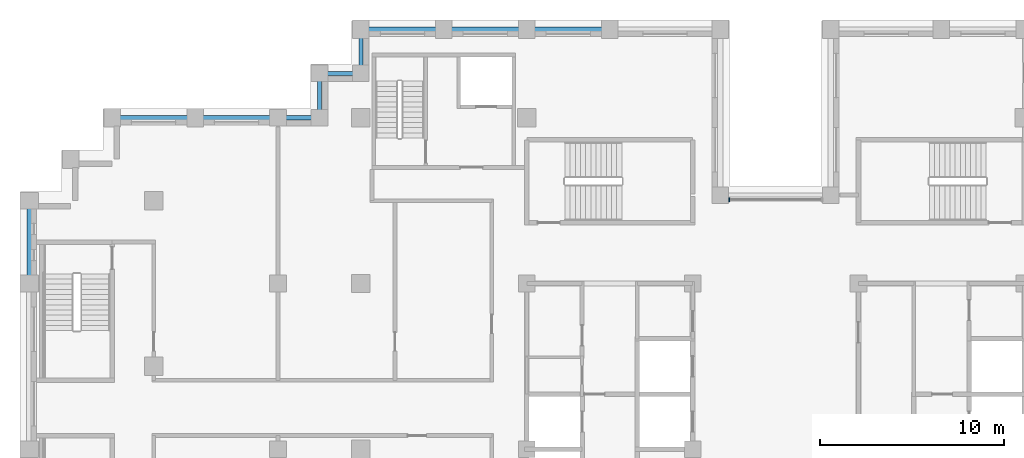
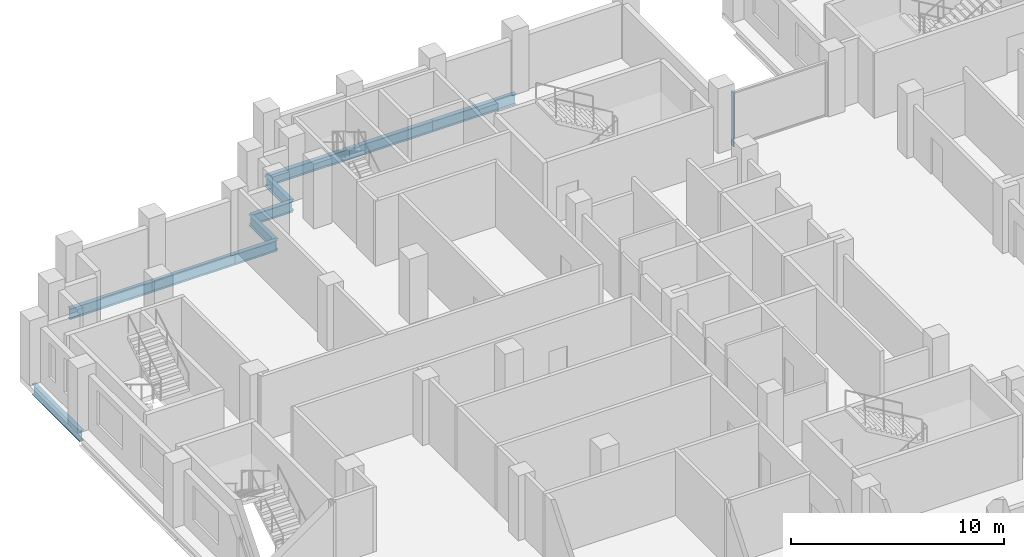
# One storey, part 3 of 15: 10 beams, 1 member, 1 element without a shape of its own.
"""IFC4 building model written with IfcOpenShell, lengths in metres."""

import ifcopenshell
import ifcopenshell.guid

model = None  # the IFC model being written
_history = None  # IfcOwnerHistory: only IFC2X3 demands one
_inside = {}  # id of a spatial element -> (the spatial element, [elements in it])
_under = {}  # id of a project, library or spatial element -> (it, [spatial elements below it])
_declared = {}  # id of a project -> (the project, [libraries it declares])
_typed = {}  # id of a type object -> (the type object, [elements of that type])
_made_of = {}  # id of a material, layer set ... -> (it, [elements and type objects made of it])


def new_model(schema):
    """Start an empty IFC model of exactly this schema.

    Asked for "IFC4X3", IfcOpenShell would pick the latest addendum, in which some entities
    have other attributes; the version numbers below select the first issue.
    IFC2X3 requires an IfcOwnerHistory on every rooted entity: one is made here for all.
    """
    global model, _history
    if schema == "IFC4X3":
        model = ifcopenshell.file(schema_version=(4, 3, 0, 0))
    else:
        model = ifcopenshell.file(schema=schema)
    _inside.clear()
    _under.clear()
    _declared.clear()
    _typed.clear()
    _made_of.clear()
    _history = None
    if model.schema == "IFC2X3":
        org = make("IfcOrganization", Name="unknown")
        user = make(
            "IfcPersonAndOrganization",
            ThePerson=make("IfcPerson", FamilyName="unknown"),
            TheOrganization=org,
        )
        app = make(
            "IfcApplication",
            ApplicationDeveloper=org,
            Version="unknown",
            ApplicationFullName="unknown",
            ApplicationIdentifier="unknown",
        )
        _history = make(
            "IfcOwnerHistory",
            OwningUser=user,
            OwningApplication=app,
            ChangeAction="ADDED",
            CreationDate=0,
        )
    return model


def make(cls, **values):
    """One entity of the class cls with the attributes given. An attribute that is None is left unset."""
    return model.create_entity(
        cls, **{name: value for name, value in values.items() if value is not None}
    )


def rooted(cls, **values):
    """An entity with a GlobalId (a new one), such as an element, a storey or a relation."""
    return make(cls, GlobalId=ifcopenshell.guid.new(), OwnerHistory=_history, **values)


def si_unit(unit_type, name, prefix=None):
    """IfcSIUnit, for example si_unit("LENGTHUNIT", "METRE", prefix="MILLI")."""
    return make("IfcSIUnit", UnitType=unit_type, Prefix=prefix, Name=name)


def assignment(units):
    """IfcUnitAssignment: the units of a project."""
    return None if units is None else make("IfcUnitAssignment", Units=units)


def point(xyz):
    """IfcCartesianPoint."""
    return None if xyz is None else make("IfcCartesianPoint", Coordinates=xyz)


def direction(xyz):
    """IfcDirection."""
    return None if xyz is None else make("IfcDirection", DirectionRatios=xyz)


def frame(location, z_axis=None, x_axis=None):
    """IfcAxis2Placement3D, a coordinate frame: its origin and axes. An axis left out is left unset."""
    return make(
        "IfcAxis2Placement3D",
        Location=point(location),
        Axis=direction(z_axis),
        RefDirection=direction(x_axis),
    )


def frame_2d(location, x_axis=None):
    """IfcAxis2Placement2D, a coordinate frame in the plane: its origin and x axis."""
    return make(
        "IfcAxis2Placement2D", Location=point(location), RefDirection=direction(x_axis)
    )


def origin():
    """The frame at (0, 0, 0) with its axes left unset."""
    return frame((0.0, 0.0, 0.0))


def origin_2d():
    """The frame at (0, 0) in the plane with its x axis left unset."""
    return frame_2d((0.0, 0.0))


def place(relative_to, where):
    """IfcLocalPlacement: puts the frame where relative to a parent placement (None: the world)."""
    return make(
        "IfcLocalPlacement", PlacementRelTo=relative_to, RelativePlacement=where
    )


def context(
    kind, dimensions, precision=None, world=None, true_north=None, identifier=None
):
    """IfcGeometricRepresentationContext, for example the 3D "Model" context."""
    return make(
        "IfcGeometricRepresentationContext",
        ContextIdentifier=identifier,
        ContextType=kind,
        CoordinateSpaceDimension=dimensions,
        Precision=precision,
        WorldCoordinateSystem=world,
        TrueNorth=true_north,
    )


def subcontext(parent, identifier, kind, view, scale=None):
    """IfcGeometricRepresentationSubContext, for example "Body" below "Model"."""
    return make(
        "IfcGeometricRepresentationSubContext",
        ContextIdentifier=identifier,
        ContextType=kind,
        ParentContext=parent,
        TargetScale=scale,
        TargetView=view,
    )


def project(units=None, contexts=None):
    """IfcProject with its units and contexts."""
    return rooted(
        "IfcProject",
        Name="project",
        RepresentationContexts=contexts,
        UnitsInContext=assignment(units),
    )


def spatial(cls, under=None, at=None, **own):
    """A site, building, storey or space (cls), placed at a placement, below another one or the project."""
    s = rooted(cls, ObjectPlacement=at, **own)
    if under is not None:
        _under.setdefault(under.id(), (under, []))[1].append(s)
    return s


def profile(cls, at=None, kind="AREA", **sizes):
    """A parametric profile (cls). Its sizes go by their IFC names, for example OverallWidth=200.0."""
    return make(cls, ProfileType=kind, Position=at, **sizes)


def rectangle(**sizes):
    """IfcRectangleProfileDef."""
    return profile("IfcRectangleProfileDef", **sizes)


def i_section(**sizes):
    """IfcIShapeProfileDef."""
    return profile("IfcIShapeProfileDef", **sizes)


def extrude(swept, where, along, depth):
    """IfcExtrudedAreaSolid: the profile swept, set in the frame where, extruded along a direction by depth."""
    return make(
        "IfcExtrudedAreaSolid",
        SweptArea=swept,
        Position=where,
        ExtrudedDirection=direction(along),
        Depth=depth,
    )


def shape(context_of_items, identifier, shape_type, items):
    """IfcShapeRepresentation: the items that make up one representation, for example the "Body"."""
    return make(
        "IfcShapeRepresentation",
        ContextOfItems=context_of_items,
        RepresentationIdentifier=identifier,
        RepresentationType=shape_type,
        Items=items,
    )


def material(Name=None, Category=None):
    """IfcMaterial."""
    return make("IfcMaterial", Name=Name, Category=Category)


def layer(
    of_material, thickness, ventilated=None, Name=None, Category=None, Priority=None
):
    """IfcMaterialLayer: one layer of a wall or slab, of a material (None: an air gap)."""
    return make(
        "IfcMaterialLayer",
        Material=of_material,
        LayerThickness=thickness,
        IsVentilated=ventilated,
        Name=Name,
        Category=Category,
        Priority=Priority,
    )


def layer_set(layers, Name=None):
    """IfcMaterialLayerSet."""
    return make("IfcMaterialLayerSet", MaterialLayers=layers, LayerSetName=Name)


def material_profile(
    of_material, cross_section, Name=None, Category=None, Priority=None
):
    """IfcMaterialProfile: a cross section and its material."""
    return make(
        "IfcMaterialProfile",
        Name=Name,
        Material=of_material,
        Profile=cross_section,
        Priority=Priority,
        Category=Category,
    )


def profile_set(profiles, Name=None, composite=None):
    """IfcMaterialProfileSet."""
    return make(
        "IfcMaterialProfileSet",
        Name=Name,
        MaterialProfiles=profiles,
        CompositeProfile=composite,
    )


def made_of(thing, what):
    """Note that an element or type object is made of a material, layer set ...; save() writes the relation."""
    if what is not None:
        _made_of.setdefault(what.id(), (what, []))[1].append(thing)
    return thing


def type_object(cls, material=None, **own):
    """A type object (cls), such as IfcWallType, which elements share."""
    return made_of(rooted(cls, **own), material)


def element(
    cls,
    number,
    at=None,
    inside=None,
    cuts=None,
    type_object=None,
    material=None,
    context=None,
    identifier="Body",
    shape_type=None,
    held_by="IfcProductDefinitionShape",
    body=None,
    shapes=None,
    **own,
):
    """One element of the class cls, such as IfcWall. Its Tag is "e" and its number.

    at: its placement. inside: the storey or other place that contains it. cuts: it is an
    opening in that element (IfcRelVoidsElement). A single representation is given by context,
    identifier, shape_type and body (its items); several are given by shapes. held_by: the class
    of the entity that holds the representations. save() writes the other relations.
    """
    e = rooted(cls, Tag="e%d" % number, ObjectPlacement=at, **own)
    if body is not None:
        shapes = [shape(context, identifier, shape_type, body)]
    if shapes is not None:
        e.Representation = make(held_by, Representations=shapes)
    if inside is not None:
        _inside.setdefault(inside.id(), (inside, []))[1].append(e)
    if cuts is not None:
        rooted(
            "IfcRelVoidsElement", RelatingBuildingElement=cuts, RelatedOpeningElement=e
        )
    if type_object is not None:
        _typed.setdefault(type_object.id(), (type_object, []))[1].append(e)
    return made_of(e, material)


def aggregate(whole, parts):
    """IfcRelAggregates: a whole, such as a stair, and the parts it consists of."""
    return rooted("IfcRelAggregates", RelatingObject=whole, RelatedObjects=parts)


def save(model, path):
    """Write the relations noted so far, then the file.

    IfcRelAggregates (storeys below a building ...), IfcRelContainedInSpatialStructure (elements
    in a storey), IfcRelDefinesByType, IfcRelAssociatesMaterial and IfcRelDeclares: one each for
    every whole, place, type object, material and project.
    """
    for whole, parts in _under.values():
        aggregate(whole, parts)
    for where, things in _inside.values():
        rooted(
            "IfcRelContainedInSpatialStructure",
            RelatedElements=things,
            RelatingStructure=where,
        )
    for kind, things in _typed.values():
        rooted("IfcRelDefinesByType", RelatedObjects=things, RelatingType=kind)
    for what, things in _made_of.values():
        rooted("IfcRelAssociatesMaterial", RelatedObjects=things, RelatingMaterial=what)
    for by, libraries in _declared.values():
        rooted("IfcRelDeclares", RelatingContext=by, RelatedDefinitions=libraries)
    model.write(path)


model = new_model("IFC4")

# Units and contexts
model_context = context("Model", 3, precision=1e-05, world=origin(), true_north=direction((0.0, 1.0)))
body_context = subcontext(model_context, "Body", "Model", "MODEL_VIEW")
ifc_project = project(units=[si_unit("LENGTHUNIT", "METRE"), si_unit("AREAUNIT", "SQUARE_METRE"), si_unit("VOLUMEUNIT", "CUBIC_METRE"), si_unit("PLANEANGLEUNIT", "RADIAN"), si_unit("MASSUNIT", "GRAM", prefix="KILO")], contexts=[model_context])

# Site, building, storey
site_placement = place(None, origin())
site = spatial("IfcSite", under=ifc_project, at=site_placement, CompositionType="ELEMENT")
building_placement = place(site_placement, origin())
building = spatial("IfcBuilding", under=site, at=building_placement, Name="Corbelhall Arena Tower", CompositionType="ELEMENT")
storey_placement = place(building_placement, frame((0.0, 0.0, 212.0)))
storey = spatial("IfcBuildingStorey", under=building, at=storey_placement, Name="L44", CompositionType="ELEMENT", Elevation=212.0)

# Curtain wall, member
ifc_material_1 = material(Name="Aluminium black anodised", Category="aluminium")
ifc_layer = layer(ifc_material_1, 0.199951171875)
ifc_layer_set = layer_set([ifc_layer], Name="EV-CW1 Slot back wall")
curtain_wall_type = type_object("IfcCurtainWallType", Name="EV-CW1 Slot back wall", PredefinedType="NOTDEFINED", material=ifc_layer_set)
curtain_wall_placement = place(storey_placement, origin())
curtain_wall = element("IfcCurtainWall", 1, at=curtain_wall_placement, inside=storey, type_object=curtain_wall_type, Name="Curtain wall CW1", PredefinedType="NOTDEFINED")
ifc_material_profile_1 = material_profile(ifc_material_1, rectangle(XDim=0.199951171875, YDim=0.074951171875, at=origin_2d()))
ifc_profile_set_1 = profile_set([ifc_material_profile_1], Name="Aluminium black anodised")
member_type = type_object("IfcMemberType", Name="EV-CW1-MULLION", PredefinedType="MULLION", material=ifc_profile_set_1)
member_placement = place(storey_placement, frame((-2.512451171875, 13.550048828125, 0.0), z_axis=(0.0, 0.0, 1.0), x_axis=(0.0, -1.0, 0.0)))
member = element("IfcMember", 2, at=member_placement, type_object=member_type, Name="CW1 mullion 2", PredefinedType="MULLION", context=body_context, shape_type="SweptSolid", body=[
    extrude(rectangle(XDim=0.199951171875, YDim=0.074951171875, at=origin_2d()), origin(), (0.0, 0.0, 1.0), 3.1201171875),
])
aggregate(curtain_wall, [member])

# Beams
ifc_material_2 = material(Name="Steel ASTM A992 Gr50", Category="steel")
ifc_material_profile_2 = material_profile(ifc_material_2, i_section(OverallWidth=0.228271484375, OverallDepth=0.607177734375, WebThickness=0.01123046875, FlangeThickness=0.017333984375, at=origin_2d()))
ifc_profile_set_2 = profile_set([ifc_material_profile_2], Name="Steel ASTM A992 Gr50")
beam_type = type_object("IfcBeamType", Name="ST-SPANDREL-W24x76", PredefinedType="SPANDREL", material=ifc_profile_set_2)
for number, where, z_axis, x_axis, name in (
    (3, (-40.5, 9.0, -0.58349609375), (0.0, 1.0, 0.0), (-1.0, 0.0, 0.0), "Beam SP 2"),
    (4, (-31.5, 18.0, -0.58349609375), (1.0, 0.0, 0.0), (0.0, 1.0, 0.0), "Beam SP 5"),
    (5, (-36.0, 18.0, -0.58349609375), (1.0, 0.0, 0.0), (0.0, 1.0, 0.0), "Beam SP 6"),
    (6, (-13.5, 22.800048828125, -0.58349609375), (1.0, 0.0, 0.0), (0.0, 1.0, 0.0), "Beam SP 20"),
    (7, (-18.0, 22.800048828125, -0.58349609375), (1.0, 0.0, 0.0), (0.0, 1.0, 0.0), "Beam SP 21"),
    (8, (-22.5, 22.800048828125, -0.58349609375), (1.0, 0.0, 0.0), (0.0, 1.0, 0.0), "Beam SP 22"),
):
    element("IfcBeam", number, at=place(storey_placement, frame(where, z_axis=z_axis, x_axis=x_axis)), inside=storey, type_object=beam_type, Name=name, PredefinedType="SPANDREL", context=body_context, shape_type="SweptSolid", body=[
        extrude(i_section(OverallWidth=0.228271484375, OverallDepth=0.607177734375, WebThickness=0.01123046875, FlangeThickness=0.017333984375, at=origin_2d()), origin(), (0.0, 0.0, 1.0), 4.5),
    ])
beam_1_placement = place(storey_placement, frame((-27.0, 18.0, -0.58349609375), z_axis=(1.0, 0.0, 0.0), x_axis=(0.0, 1.0, 0.0)))
element("IfcBeam", 9, at=beam_1_placement, inside=storey, type_object=beam_type, Name="Beam SP 33", PredefinedType="SPANDREL", context=body_context, shape_type="SweptSolid", body=[
    extrude(i_section(OverallWidth=0.228271484375, OverallDepth=0.607177734375, WebThickness=0.01123046875, FlangeThickness=0.017333984375, at=origin_2d()), origin(), (0.0, 0.0, 1.0), 2.25),
])
beam_2_placement = place(storey_placement, frame((-22.5, 20.39990234375, -0.58349609375), z_axis=(0.0, 1.0, 0.0), x_axis=(-1.0, 0.0, 0.0)))
element("IfcBeam", 10, at=beam_2_placement, inside=storey, type_object=beam_type, Name="Beam SP 42", PredefinedType="SPANDREL", context=body_context, shape_type="SweptSolid", body=[
    extrude(i_section(OverallWidth=0.228271484375, OverallDepth=0.607177734375, WebThickness=0.01123046875, FlangeThickness=0.017333984375, at=origin_2d()), origin(), (0.0, 0.0, 1.0), 2.400146484375),
])
beam_3_placement = place(storey_placement, frame((-24.75, 20.39990234375, -0.58349609375), z_axis=(1.0, 0.0, 0.0), x_axis=(0.0, 1.0, 0.0)))
element("IfcBeam", 11, at=beam_3_placement, inside=storey, type_object=beam_type, Name="Beam SP 43", PredefinedType="SPANDREL", context=body_context, shape_type="SweptSolid", body=[
    extrude(i_section(OverallWidth=0.228271484375, OverallDepth=0.607177734375, WebThickness=0.01123046875, FlangeThickness=0.017333984375, at=origin_2d()), origin(), (0.0, 0.0, 1.0), 2.25),
])
beam_4_placement = place(storey_placement, frame((-24.75, 18.0, -0.58349609375), z_axis=(0.0, 1.0, 0.0), x_axis=(-1.0, 0.0, 0.0)))
element("IfcBeam", 12, at=beam_4_placement, inside=storey, type_object=beam_type, Name="Beam SP 44", PredefinedType="SPANDREL", context=body_context, shape_type="SweptSolid", body=[
    extrude(i_section(OverallWidth=0.228271484375, OverallDepth=0.607177734375, WebThickness=0.01123046875, FlangeThickness=0.017333984375, at=origin_2d()), origin(), (0.0, 0.0, 1.0), 2.39990234375),
])

save(model, "model.ifc")
